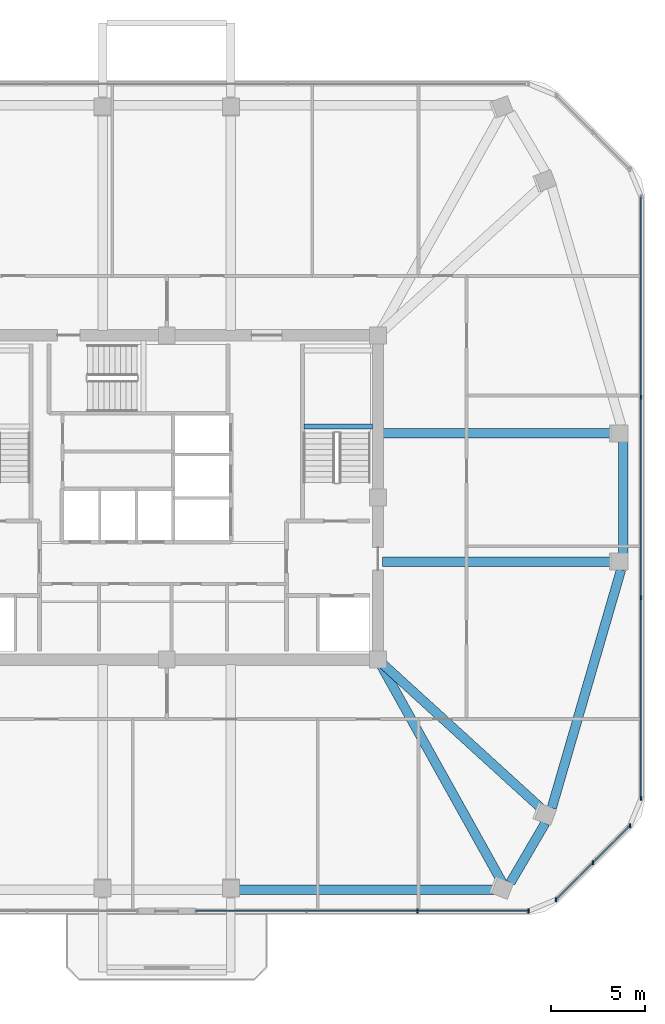
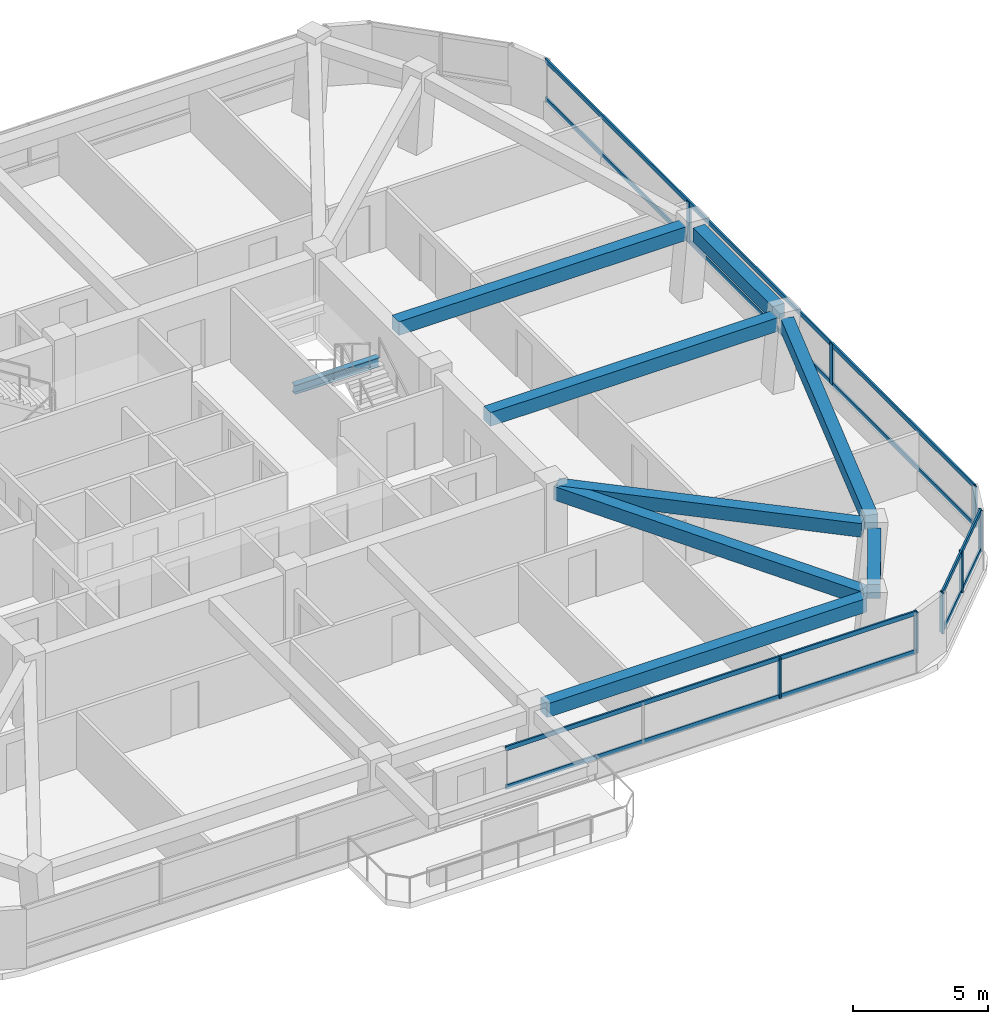
# One storey, part 3 of 13: 14 members, 9 beams, 3 elements without a shape of their own.
"""IFC4 building model written with IfcOpenShell, lengths in metres."""

import ifcopenshell
import ifcopenshell.guid

model = None  # the IFC model being written
_history = None  # IfcOwnerHistory: only IFC2X3 demands one
_inside = {}  # id of a spatial element -> (the spatial element, [elements in it])
_under = {}  # id of a project, library or spatial element -> (it, [spatial elements below it])
_declared = {}  # id of a project -> (the project, [libraries it declares])
_typed = {}  # id of a type object -> (the type object, [elements of that type])
_made_of = {}  # id of a material, layer set ... -> (it, [elements and type objects made of it])


def new_model(schema):
    """Start an empty IFC model of exactly this schema.

    Asked for "IFC4X3", IfcOpenShell would pick the latest addendum, in which some entities
    have other attributes; the version numbers below select the first issue.
    IFC2X3 requires an IfcOwnerHistory on every rooted entity: one is made here for all.
    """
    global model, _history
    if schema == "IFC4X3":
        model = ifcopenshell.file(schema_version=(4, 3, 0, 0))
    else:
        model = ifcopenshell.file(schema=schema)
    _inside.clear()
    _under.clear()
    _declared.clear()
    _typed.clear()
    _made_of.clear()
    _history = None
    if model.schema == "IFC2X3":
        org = make("IfcOrganization", Name="unknown")
        user = make(
            "IfcPersonAndOrganization",
            ThePerson=make("IfcPerson", FamilyName="unknown"),
            TheOrganization=org,
        )
        app = make(
            "IfcApplication",
            ApplicationDeveloper=org,
            Version="unknown",
            ApplicationFullName="unknown",
            ApplicationIdentifier="unknown",
        )
        _history = make(
            "IfcOwnerHistory",
            OwningUser=user,
            OwningApplication=app,
            ChangeAction="ADDED",
            CreationDate=0,
        )
    return model


def make(cls, **values):
    """One entity of the class cls with the attributes given. An attribute that is None is left unset."""
    return model.create_entity(
        cls, **{name: value for name, value in values.items() if value is not None}
    )


def rooted(cls, **values):
    """An entity with a GlobalId (a new one), such as an element, a storey or a relation."""
    return make(cls, GlobalId=ifcopenshell.guid.new(), OwnerHistory=_history, **values)


def si_unit(unit_type, name, prefix=None):
    """IfcSIUnit, for example si_unit("LENGTHUNIT", "METRE", prefix="MILLI")."""
    return make("IfcSIUnit", UnitType=unit_type, Prefix=prefix, Name=name)


def derived_unit(unit_type, elements):
    """IfcDerivedUnit: a product of units, each with its exponent."""
    return make(
        "IfcDerivedUnit",
        Elements=[
            make("IfcDerivedUnitElement", Unit=unit, Exponent=power)
            for unit, power in elements
        ],
        UnitType=unit_type,
    )


def assignment(units):
    """IfcUnitAssignment: the units of a project."""
    return None if units is None else make("IfcUnitAssignment", Units=units)


def point(xyz):
    """IfcCartesianPoint."""
    return None if xyz is None else make("IfcCartesianPoint", Coordinates=xyz)


def direction(xyz):
    """IfcDirection."""
    return None if xyz is None else make("IfcDirection", DirectionRatios=xyz)


def frame(location, z_axis=None, x_axis=None):
    """IfcAxis2Placement3D, a coordinate frame: its origin and axes. An axis left out is left unset."""
    return make(
        "IfcAxis2Placement3D",
        Location=point(location),
        Axis=direction(z_axis),
        RefDirection=direction(x_axis),
    )


def frame_2d(location, x_axis=None):
    """IfcAxis2Placement2D, a coordinate frame in the plane: its origin and x axis."""
    return make(
        "IfcAxis2Placement2D", Location=point(location), RefDirection=direction(x_axis)
    )


def origin():
    """The frame at (0, 0, 0) with its axes left unset."""
    return frame((0.0, 0.0, 0.0))


def origin_2d():
    """The frame at (0, 0) in the plane with its x axis left unset."""
    return frame_2d((0.0, 0.0))


def place(relative_to, where):
    """IfcLocalPlacement: puts the frame where relative to a parent placement (None: the world)."""
    return make(
        "IfcLocalPlacement", PlacementRelTo=relative_to, RelativePlacement=where
    )


def context(
    kind, dimensions, precision=None, world=None, true_north=None, identifier=None
):
    """IfcGeometricRepresentationContext, for example the 3D "Model" context."""
    return make(
        "IfcGeometricRepresentationContext",
        ContextIdentifier=identifier,
        ContextType=kind,
        CoordinateSpaceDimension=dimensions,
        Precision=precision,
        WorldCoordinateSystem=world,
        TrueNorth=true_north,
    )


def subcontext(parent, identifier, kind, view, scale=None):
    """IfcGeometricRepresentationSubContext, for example "Body" below "Model"."""
    return make(
        "IfcGeometricRepresentationSubContext",
        ContextIdentifier=identifier,
        ContextType=kind,
        ParentContext=parent,
        TargetScale=scale,
        TargetView=view,
    )


def project(units=None, contexts=None):
    """IfcProject with its units and contexts."""
    return rooted(
        "IfcProject",
        Name="project",
        RepresentationContexts=contexts,
        UnitsInContext=assignment(units),
    )


def spatial(cls, under=None, at=None, **own):
    """A site, building, storey or space (cls), placed at a placement, below another one or the project."""
    s = rooted(cls, ObjectPlacement=at, **own)
    if under is not None:
        _under.setdefault(under.id(), (under, []))[1].append(s)
    return s


def profile(cls, at=None, kind="AREA", **sizes):
    """A parametric profile (cls). Its sizes go by their IFC names, for example OverallWidth=200.0."""
    return make(cls, ProfileType=kind, Position=at, **sizes)


def rectangle(**sizes):
    """IfcRectangleProfileDef."""
    return profile("IfcRectangleProfileDef", **sizes)


def i_section(**sizes):
    """IfcIShapeProfileDef."""
    return profile("IfcIShapeProfileDef", **sizes)


def extrude(swept, where, along, depth):
    """IfcExtrudedAreaSolid: the profile swept, set in the frame where, extruded along a direction by depth."""
    return make(
        "IfcExtrudedAreaSolid",
        SweptArea=swept,
        Position=where,
        ExtrudedDirection=direction(along),
        Depth=depth,
    )


def shape(context_of_items, identifier, shape_type, items):
    """IfcShapeRepresentation: the items that make up one representation, for example the "Body"."""
    return make(
        "IfcShapeRepresentation",
        ContextOfItems=context_of_items,
        RepresentationIdentifier=identifier,
        RepresentationType=shape_type,
        Items=items,
    )


def material(Name=None, Category=None):
    """IfcMaterial."""
    return make("IfcMaterial", Name=Name, Category=Category)


def material_profile(
    of_material, cross_section, Name=None, Category=None, Priority=None
):
    """IfcMaterialProfile: a cross section and its material."""
    return make(
        "IfcMaterialProfile",
        Name=Name,
        Material=of_material,
        Profile=cross_section,
        Priority=Priority,
        Category=Category,
    )


def profile_set(profiles, Name=None, composite=None):
    """IfcMaterialProfileSet."""
    return make(
        "IfcMaterialProfileSet",
        Name=Name,
        MaterialProfiles=profiles,
        CompositeProfile=composite,
    )


def made_of(thing, what):
    """Note that an element or type object is made of a material, layer set ...; save() writes the relation."""
    if what is not None:
        _made_of.setdefault(what.id(), (what, []))[1].append(thing)
    return thing


def type_object(cls, material=None, **own):
    """A type object (cls), such as IfcWallType, which elements share."""
    return made_of(rooted(cls, **own), material)


def element(
    cls,
    number,
    at=None,
    inside=None,
    cuts=None,
    type_object=None,
    material=None,
    context=None,
    identifier="Body",
    shape_type=None,
    held_by="IfcProductDefinitionShape",
    body=None,
    shapes=None,
    **own,
):
    """One element of the class cls, such as IfcWall. Its Tag is "e" and its number.

    at: its placement. inside: the storey or other place that contains it. cuts: it is an
    opening in that element (IfcRelVoidsElement). A single representation is given by context,
    identifier, shape_type and body (its items); several are given by shapes. held_by: the class
    of the entity that holds the representations. save() writes the other relations.
    """
    e = rooted(cls, Tag="e%d" % number, ObjectPlacement=at, **own)
    if body is not None:
        shapes = [shape(context, identifier, shape_type, body)]
    if shapes is not None:
        e.Representation = make(held_by, Representations=shapes)
    if inside is not None:
        _inside.setdefault(inside.id(), (inside, []))[1].append(e)
    if cuts is not None:
        rooted(
            "IfcRelVoidsElement", RelatingBuildingElement=cuts, RelatedOpeningElement=e
        )
    if type_object is not None:
        _typed.setdefault(type_object.id(), (type_object, []))[1].append(e)
    return made_of(e, material)


def aggregate(whole, parts):
    """IfcRelAggregates: a whole, such as a stair, and the parts it consists of."""
    return rooted("IfcRelAggregates", RelatingObject=whole, RelatedObjects=parts)


def save(model, path):
    """Write the relations noted so far, then the file.

    IfcRelAggregates (storeys below a building ...), IfcRelContainedInSpatialStructure (elements
    in a storey), IfcRelDefinesByType, IfcRelAssociatesMaterial and IfcRelDeclares: one each for
    every whole, place, type object, material and project.
    """
    for whole, parts in _under.values():
        aggregate(whole, parts)
    for where, things in _inside.values():
        rooted(
            "IfcRelContainedInSpatialStructure",
            RelatedElements=things,
            RelatingStructure=where,
        )
    for kind, things in _typed.values():
        rooted("IfcRelDefinesByType", RelatedObjects=things, RelatingType=kind)
    for what, things in _made_of.values():
        rooted("IfcRelAssociatesMaterial", RelatedObjects=things, RelatingMaterial=what)
    for by, libraries in _declared.values():
        rooted("IfcRelDeclares", RelatingContext=by, RelatedDefinitions=libraries)
    model.write(path)


model = new_model("IFC4")

# Units and contexts
model_context = context("Model", 3, precision=1e-05, world=origin(), true_north=direction((0.0, 1.0)))
body_context = subcontext(model_context, "Body", "Model", "MODEL_VIEW")
ifc_project = project(units=[si_unit("LENGTHUNIT", "METRE"), si_unit("AREAUNIT", "SQUARE_METRE"), si_unit("VOLUMEUNIT", "CUBIC_METRE"), si_unit("PLANEANGLEUNIT", "RADIAN"), si_unit("MASSUNIT", "GRAM", prefix="KILO"), derived_unit("THERMALTRANSMITTANCEUNIT", [(si_unit("POWERUNIT", "WATT"), 1), (si_unit("LENGTHUNIT", "METRE"), -2), (si_unit("THERMODYNAMICTEMPERATUREUNIT", "KELVIN"), -1)])], contexts=[model_context])

# Site, building, storey
site_placement = place(None, origin())
site = spatial("IfcSite", under=ifc_project, at=site_placement, CompositionType="ELEMENT")
building_placement = place(site_placement, origin())
building = spatial("IfcBuilding", under=site, at=building_placement, Name="Koralith Skygarden Medical Center", CompositionType="ELEMENT")
storey_placement = place(building_placement, frame((0.0, 0.0, 199.97998046875)))
storey = spatial("IfcBuildingStorey", under=building, at=storey_placement, Name="L51", CompositionType="ELEMENT", Elevation=199.97998046875)

# Curtain wall, members
ifc_material_1 = material(Name="Clear Laminated Glass", Category="glass")
curtain_wall_type = type_object("IfcCurtainWallType", Name="CW-5 Zone 4 Flare Biophilic Curtain Wall", PredefinedType="NOTDEFINED", material=ifc_material_1)
curtain_wall_1_placement = place(storey_placement, origin())
curtain_wall_1 = element("IfcCurtainWall", 1, at=curtain_wall_1_placement, inside=storey, type_object=curtain_wall_type, Name="Curtain Wall CW-L51-S-R", PredefinedType="NOTDEFINED")
ifc_material_2 = material(Name="Aluminium 6063-T6", Category="aluminium")
ifc_material_profile_1 = material_profile(ifc_material_2, rectangle(XDim=0.080078125, YDim=0.219970703125, at=origin_2d()), Name="MUL80X220")
ifc_profile_set_1 = profile_set([ifc_material_profile_1], Name="Aluminium 6063-T6")
member_type_1 = type_object("IfcMemberType", Name="CW-5 Extruded Mullion 80x220", PredefinedType="MULLION", material=ifc_profile_set_1)
member_1_placement = place(storey_placement, frame((50.294921875, 3.97412109375, 0.85009765625), z_axis=(0.0, 0.0, 1.0), x_axis=(1.0, 0.0, 0.0)))
member_1 = element("IfcMember", 2, at=member_1_placement, type_object=member_type_1, Name="CW-L51-S-R Mullion 3", PredefinedType="MULLION", context=body_context, shape_type="SweptSolid", body=[
    extrude(rectangle(XDim=0.080078125, YDim=0.219970703125, at=origin_2d()), origin(), (0.0, 0.0, 1.0), 1.83984375),
])
member_2_placement = place(storey_placement, frame((56.173095703125, 3.97412109375, 0.85009765625), z_axis=(0.0, 0.0, 1.0), x_axis=(1.0, 0.0, 0.0)))
member_2 = element("IfcMember", 3, at=member_2_placement, type_object=member_type_1, Name="CW-L51-S-R Mullion 4", PredefinedType="MULLION", context=body_context, shape_type="SweptSolid", body=[
    extrude(rectangle(XDim=0.080078125, YDim=0.219970703125, at=origin_2d()), origin(), (0.0, 0.0, 1.0), 1.83984375),
])

curtain_wall_2_placement = place(storey_placement, origin())
curtain_wall_2 = element("IfcCurtainWall", 4, at=curtain_wall_2_placement, inside=storey, type_object=curtain_wall_type, Name="Curtain Wall CW-L51-SE", PredefinedType="NOTDEFINED")
member_3_placement = place(storey_placement, frame((57.6240234375, 4.574951171875, 0.85009765625), z_axis=(0.0, 0.0, 1.0), x_axis=(1.0, 0.0, 0.0)))
member_3 = element("IfcMember", 5, at=member_3_placement, type_object=member_type_1, Name="CW-L51-SE Mullion 1", PredefinedType="MULLION", context=body_context, shape_type="SweptSolid", body=[
    extrude(rectangle(XDim=0.080078125, YDim=0.219970703125, at=origin_2d()), origin(), (0.0, 0.0, 1.0), 1.83984375),
])
member_4_placement = place(storey_placement, frame((59.5859375, 6.537109375, 0.85009765625), z_axis=(0.0, 0.0, 1.0), x_axis=(1.0, 0.0, 0.0)))
member_4 = element("IfcMember", 6, at=member_4_placement, type_object=member_type_1, Name="CW-L51-SE Mullion 2", PredefinedType="MULLION", context=body_context, shape_type="SweptSolid", body=[
    extrude(rectangle(XDim=0.080078125, YDim=0.219970703125, at=origin_2d()), origin(), (0.0, 0.0, 1.0), 1.83984375),
])
member_5_placement = place(storey_placement, frame((61.547119140625, 8.498046875, 0.85009765625), z_axis=(0.0, 0.0, 1.0), x_axis=(1.0, 0.0, 0.0)))
member_5 = element("IfcMember", 7, at=member_5_placement, type_object=member_type_1, Name="CW-L51-SE Mullion 3", PredefinedType="MULLION", context=body_context, shape_type="SweptSolid", body=[
    extrude(rectangle(XDim=0.080078125, YDim=0.219970703125, at=origin_2d()), origin(), (0.0, 0.0, 1.0), 1.83984375),
])

curtain_wall_3_placement = place(storey_placement, origin())
curtain_wall_3 = element("IfcCurtainWall", 8, at=curtain_wall_3_placement, inside=storey, type_object=curtain_wall_type, Name="Curtain Wall CW-L51-E", PredefinedType="NOTDEFINED")
member_6_placement = place(storey_placement, frame((62.14794921875, 9.948974609375, 0.85009765625), z_axis=(0.0, 0.0, 1.0), x_axis=(1.0, 0.0, 0.0)))
member_6 = element("IfcMember", 9, at=member_6_placement, type_object=member_type_1, Name="CW-L51-E Mullion 1", PredefinedType="MULLION", context=body_context, shape_type="SweptSolid", body=[
    extrude(rectangle(XDim=0.080078125, YDim=0.219970703125, at=origin_2d()), origin(), (0.0, 0.0, 1.0), 1.83984375),
])
member_7_placement = place(storey_placement, frame((62.14794921875, 20.5830078125, 0.85009765625), z_axis=(0.0, 0.0, 1.0), x_axis=(1.0, 0.0, 0.0)))
member_7 = element("IfcMember", 10, at=member_7_placement, type_object=member_type_1, Name="CW-L51-E Mullion 2", PredefinedType="MULLION", context=body_context, shape_type="SweptSolid", body=[
    extrude(rectangle(XDim=0.080078125, YDim=0.219970703125, at=origin_2d()), origin(), (0.0, 0.0, 1.0), 1.83984375),
])
member_8_placement = place(storey_placement, frame((62.14794921875, 31.217041015625, 0.85009765625), z_axis=(0.0, 0.0, 1.0), x_axis=(1.0, 0.0, 0.0)))
member_8 = element("IfcMember", 11, at=member_8_placement, type_object=member_type_1, Name="CW-L51-E Mullion 3", PredefinedType="MULLION", context=body_context, shape_type="SweptSolid", body=[
    extrude(rectangle(XDim=0.080078125, YDim=0.219970703125, at=origin_2d()), origin(), (0.0, 0.0, 1.0), 1.83984375),
])

# Member
ifc_material_profile_2 = material_profile(ifc_material_2, rectangle(XDim=0.074951171875, YDim=0.197998046875, at=origin_2d()), Name="TRN75X198")
ifc_profile_set_2 = profile_set([ifc_material_profile_2], Name="Aluminium 6063-T6")
member_type_2 = type_object("IfcMemberType", Name="CW-5 Thermal Transom 75x198", PredefinedType="USERDEFINED", material=ifc_profile_set_2)
member_9_placement = place(storey_placement, frame((38.5390625, 3.97412109375, 0.89990234375), z_axis=(1.0, 0.0, 0.0), x_axis=(0.0, 1.0, 0.0)))
member_9 = element("IfcMember", 12, at=member_9_placement, type_object=member_type_2, Name="CW-L51-S-R Transom 1", ObjectType="TRANSOM", PredefinedType="USERDEFINED", context=body_context, shape_type="SweptSolid", body=[
    extrude(rectangle(XDim=0.074951171875, YDim=0.197998046875, at=origin_2d()), origin(), (0.0, 0.0, 1.0), 17.634033203125),
])

member_10_placement = place(storey_placement, frame((38.5390625, 3.97412109375, 2.64013671875), z_axis=(1.0, 0.0, 0.0), x_axis=(0.0, 1.0, 0.0)))
member_10 = element("IfcMember", 13, at=member_10_placement, type_object=member_type_2, Name="CW-L51-S-R Transom 2", ObjectType="TRANSOM", PredefinedType="USERDEFINED", context=body_context, shape_type="SweptSolid", body=[
    extrude(rectangle(XDim=0.074951171875, YDim=0.197998046875, at=origin_2d()), origin(), (0.0, 0.0, 1.0), 17.634033203125),
])

aggregate(curtain_wall_1, [member_1, member_2, member_9, member_10])

member_11_placement = place(storey_placement, frame((57.6240234375, 4.574951171875, 0.89990234375), z_axis=(0.707106781187, 0.707106781187, 0.0), x_axis=(-0.707106781187, 0.707106781187, 0.0)))
member_11 = element("IfcMember", 14, at=member_11_placement, type_object=member_type_2, Name="CW-L51-SE Transom 1", ObjectType="TRANSOM", PredefinedType="USERDEFINED", context=body_context, shape_type="SweptSolid", body=[
    extrude(rectangle(XDim=0.074951171875, YDim=0.197998046875, at=origin_2d()), origin(), (0.0, 0.0, 1.0), 5.548095703125),
])

member_12_placement = place(storey_placement, frame((57.6240234375, 4.574951171875, 2.64013671875), z_axis=(0.707106781187, 0.707106781187, 0.0), x_axis=(-0.707106781187, 0.707106781187, 0.0)))
member_12 = element("IfcMember", 15, at=member_12_placement, type_object=member_type_2, Name="CW-L51-SE Transom 2", ObjectType="TRANSOM", PredefinedType="USERDEFINED", context=body_context, shape_type="SweptSolid", body=[
    extrude(rectangle(XDim=0.074951171875, YDim=0.197998046875, at=origin_2d()), origin(), (0.0, 0.0, 1.0), 5.548095703125),
])

aggregate(curtain_wall_2, [member_3, member_4, member_5, member_11, member_12])

member_13_placement = place(storey_placement, frame((62.14794921875, 9.948974609375, 0.89990234375), z_axis=(0.0, 1.0, 0.0), x_axis=(-1.0, 0.0, 0.0)))
member_13 = element("IfcMember", 16, at=member_13_placement, type_object=member_type_2, Name="CW-L51-E Transom 1", ObjectType="TRANSOM", PredefinedType="USERDEFINED", context=body_context, shape_type="SweptSolid", body=[
    extrude(rectangle(XDim=0.074951171875, YDim=0.197998046875, at=origin_2d()), origin(), (0.0, 0.0, 1.0), 31.902099609375),
])

member_14_placement = place(storey_placement, frame((62.14794921875, 9.948974609375, 2.64013671875), z_axis=(0.0, 1.0, 0.0), x_axis=(-1.0, 0.0, 0.0)))
member_14 = element("IfcMember", 17, at=member_14_placement, type_object=member_type_2, Name="CW-L51-E Transom 2", ObjectType="TRANSOM", PredefinedType="USERDEFINED", context=body_context, shape_type="SweptSolid", body=[
    extrude(rectangle(XDim=0.074951171875, YDim=0.197998046875, at=origin_2d()), origin(), (0.0, 0.0, 1.0), 31.902099609375),
])

aggregate(curtain_wall_3, [member_6, member_7, member_8, member_13, member_14])

# Beams
ifc_material_3 = material(Name="Steel ASTM A992 Grade 50", Category="steel")
ifc_material_profile_3 = material_profile(ifc_material_3, i_section(OverallWidth=0.260009765625, OverallDepth=0.4150390625, WebThickness=0.010009765625, FlangeThickness=0.016845703125, at=origin_2d()), Name="W16X67")
ifc_profile_set_3 = profile_set([ifc_material_profile_3], Name="Steel ASTM A992 Grade 50")
beam_type_1 = type_object("IfcBeamType", Name="Clinical Floor Joist W16X67", PredefinedType="JOIST", material=ifc_profile_set_3)
beam_1_placement = place(storey_placement, frame((44.280029296875, 29.659912109375, 1.39306640625), z_axis=(1.0, 0.0, 0.0), x_axis=(0.0, 1.0, 0.0)))
element("IfcBeam", 18, at=beam_1_placement, inside=storey, type_object=beam_type_1, Name="L51 Stair ST2 Half-Landing Support Beam 1A", PredefinedType="JOIST", context=body_context, shape_type="SweptSolid", body=[
    extrude(i_section(OverallWidth=0.260009765625, OverallDepth=0.4150390625, WebThickness=0.010009765625, FlangeThickness=0.016845703125, at=origin_2d()), origin(), (0.0, 0.0, 1.0), 3.639892578125),
])
ifc_material_4 = material(Name="Concrete C45/55", Category="concrete")
ifc_material_profile_4 = material_profile(ifc_material_4, rectangle(XDim=0.5, YDim=0.6201171875, at=origin_2d()), Name="RCB500X620")
ifc_profile_set_4 = profile_set([ifc_material_profile_4], Name="Concrete C45/55")
beam_type_2 = type_object("IfcBeamType", Name="Upper Radial Collector Beam RCB500X620", PredefinedType="BEAM", material=ifc_profile_set_4)
beam_2_placement = place(storey_placement, frame((48.322021484375, 17.08203125, 3.010009765625), z_axis=(0.486732224919, -0.873551224157, 0.0), x_axis=(0.873551224157, 0.486732224919, 0.0)))
element("IfcBeam", 19, at=beam_2_placement, inside=storey, type_object=beam_type_2, Name="L51 Radial Collector Beam RB-06", PredefinedType="BEAM", context=body_context, shape_type="SweptSolid", body=[
    extrude(rectangle(XDim=0.5, YDim=0.6201171875, at=origin_2d()), origin(), (0.0, 0.0, 1.0), 13.278076171875),
])
beam_3_placement = place(storey_placement, frame((48.385009765625, 17.132080078125, 3.010009765625), z_axis=(0.7392077394, -0.673477481443, 0.0), x_axis=(0.673477481443, 0.7392077394, 0.0)))
element("IfcBeam", 20, at=beam_3_placement, inside=storey, type_object=beam_type_2, Name="L51 Radial Collector Beam RB-07", PredefinedType="BEAM", context=body_context, shape_type="SweptSolid", body=[
    extrude(rectangle(XDim=0.5, YDim=0.6201171875, at=origin_2d()), origin(), (0.0, 0.0, 1.0), 11.607177734375),
])
for number, where, z_axis, x_axis, name in (
    (21, (48.449951171875, 22.5, 3.010009765625), (1.0, 0.0, 0.0), (0.0, 1.0, 0.0), "L51 Radial Collector Beam RB-08"),
    (22, (48.449951171875, 29.300048828125, 3.010009765625), (1.0, 0.0, 0.0), (0.0, 1.0, 0.0), "L51 Radial Collector Beam RB-09"),
):
    element("IfcBeam", number, at=place(storey_placement, frame(where, z_axis=z_axis, x_axis=x_axis)), inside=storey, type_object=beam_type_2, Name=name, PredefinedType="BEAM", context=body_context, shape_type="SweptSolid", body=[
        extrude(rectangle(XDim=0.5, YDim=0.6201171875, at=origin_2d()), origin(), (0.0, 0.0, 1.0), 12.321044921875),
    ])
ifc_material_profile_5 = material_profile(ifc_material_4, rectangle(XDim=0.5, YDim=0.6201171875, at=origin_2d()), Name="RCB500X620")
ifc_profile_set_5 = profile_set([ifc_material_profile_5], Name="Concrete C45/55")
beam_type_3 = type_object("IfcBeamType", Name="Zone 4-5 Spandrel Beam RCB500X620", PredefinedType="SPANDREL", material=ifc_profile_set_5)
beam_4_placement = place(storey_placement, frame((40.840087890625, 5.09912109375, 3.010009765625), z_axis=(1.0, 0.0, 0.0), x_axis=(0.0, 1.0, 0.0)))
element("IfcBeam", 23, at=beam_4_placement, inside=storey, type_object=beam_type_3, Name="L51 Perimeter Spandrel Beam SP-05", PredefinedType="SPANDREL", context=body_context, shape_type="SweptSolid", body=[
    extrude(rectangle(XDim=0.5, YDim=0.6201171875, at=origin_2d()), origin(), (0.0, 0.0, 1.0), 13.718994140625),
])
beam_5_placement = place(storey_placement, frame((55.220947265625, 5.47900390625, 3.010009765625), z_axis=(0.504662936205, 0.863316466205, 0.0), x_axis=(-0.863316466205, 0.504662936205, 0.0)))
element("IfcBeam", 24, at=beam_5_placement, inside=storey, type_object=beam_type_3, Name="L51 Perimeter Spandrel Beam SP-06", PredefinedType="SPANDREL", context=body_context, shape_type="SweptSolid", body=[
    extrude(rectangle(XDim=0.5, YDim=0.6201171875, at=origin_2d()), origin(), (0.0, 0.0, 1.0), 3.66015625),
])
beam_6_placement = place(storey_placement, frame((57.4130859375, 9.44091796875, 3.010009765625), z_axis=(0.27923127108, 0.960223878713, 0.0), x_axis=(-0.960223878713, 0.27923127108, 0.0)))
element("IfcBeam", 25, at=beam_6_placement, inside=storey, type_object=beam_type_3, Name="L51 Perimeter Spandrel Beam SP-07", PredefinedType="SPANDREL", context=body_context, shape_type="SweptSolid", body=[
    extrude(rectangle(XDim=0.5, YDim=0.6201171875, at=origin_2d()), origin(), (0.0, 0.0, 1.0), 13.160400390625),
])
beam_7_placement = place(storey_placement, frame((61.2109375, 22.93994140625, 3.010009765625), z_axis=(0.0, 1.0, 0.0), x_axis=(-1.0, 0.0, 0.0)))
element("IfcBeam", 26, at=beam_7_placement, inside=storey, type_object=beam_type_3, Name="L51 Perimeter Spandrel Beam SP-08", PredefinedType="SPANDREL", context=body_context, shape_type="SweptSolid", body=[
    extrude(rectangle(XDim=0.5, YDim=0.6201171875, at=origin_2d()), origin(), (0.0, 0.0, 1.0), 5.920166015625),
])

save(model, "model.ifc")
